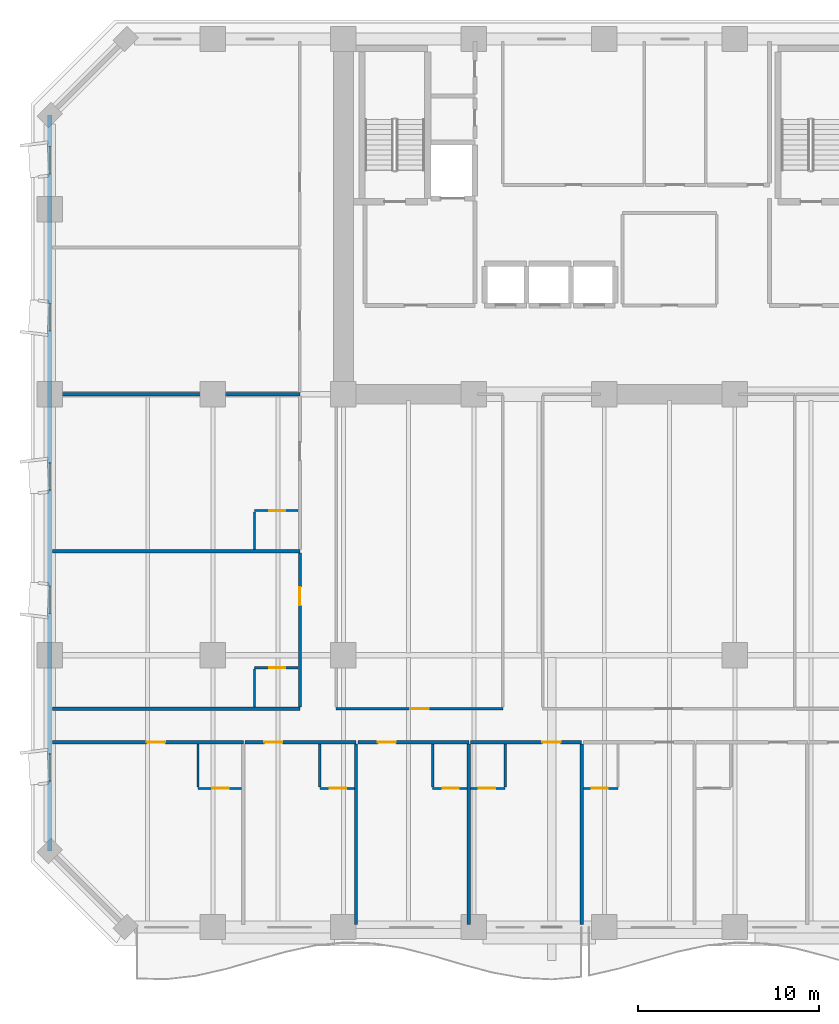
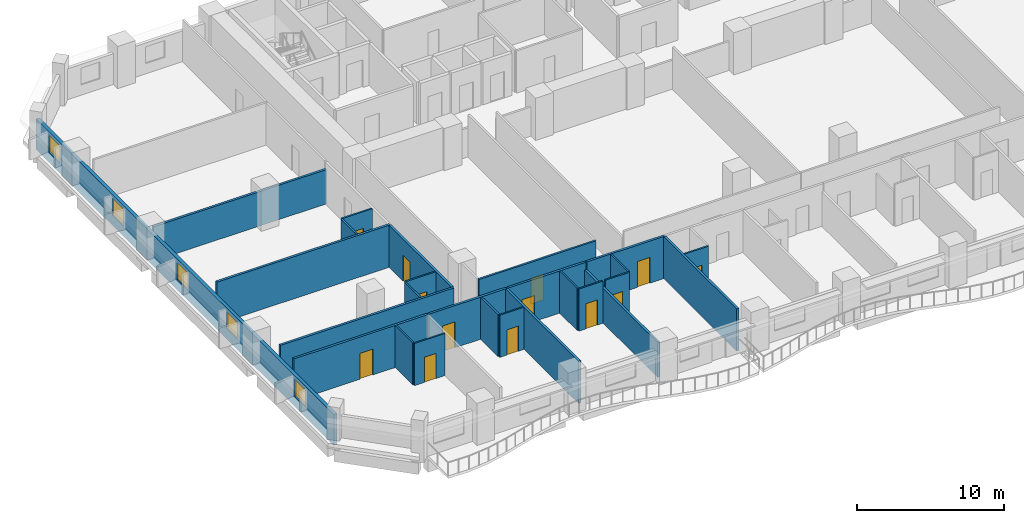
# One storey, part 4 of 15: 26 walls, 13 doors, 5 windows, 18 openings.
"""IFC4 building model written with IfcOpenShell, lengths in metres."""

from ifc_helpers import new_model, si_unit, direction, frame, frame_2d, origin, place, context, subcontext, project, spatial, rectangle, extrude, material, layer, layer_set, type_object, element, fill, save


model = new_model("IFC4")

# Units and contexts
model_context = context("Model", 3, precision=1e-05, world=origin(), true_north=direction((0.0, 1.0)))
body_context = subcontext(model_context, "Body", "Model", "MODEL_VIEW")
ifc_project = project(units=[si_unit("LENGTHUNIT", "METRE"), si_unit("AREAUNIT", "SQUARE_METRE"), si_unit("VOLUMEUNIT", "CUBIC_METRE"), si_unit("PLANEANGLEUNIT", "RADIAN"), si_unit("MASSUNIT", "GRAM", prefix="KILO")], contexts=[model_context])

# Site, building, storey
site_placement = place(None, origin())
site = spatial("IfcSite", under=ifc_project, at=site_placement, CompositionType="ELEMENT")
building_placement = place(site_placement, origin())
building = spatial("IfcBuilding", under=site, at=building_placement, Name="Kaelvorn Grand Hotel", CompositionType="ELEMENT")
storey_placement = place(building_placement, frame((0.0, 0.0, 38.89990234375)))
storey = spatial("IfcBuildingStorey", under=building, at=storey_placement, Name="L07", CompositionType="ELEMENT", Elevation=38.89990234375)

# Wall, openings, windows
ifc_material_1 = material(Name="Concrete C40/50", Category="concrete")
ifc_layer_1 = layer(ifc_material_1, 0.260009765625)
ifc_layer_set_1 = layer_set([ifc_layer_1], Name="Concrete C40/50")
wall_type_1 = type_object("IfcWallType", Name="WL-EXT-260-C40", PredefinedType="SOLIDWALL", material=ifc_layer_set_1)
wall_1_placement = place(storey_placement, frame((0.0, 44.800048828125, 0.0), z_axis=(0.0, 0.0, 1.0), x_axis=(0.0, -1.0, 0.0)))
wall_1 = element("IfcWall", 1, at=wall_1_placement, inside=storey, type_object=wall_type_1, Name="L07 Exterior Architectural Concrete Wall 07", PredefinedType="SOLIDWALL", context=body_context, shape_type="SweptSolid", body=[
    extrude(rectangle(XDim=40.60009765625, YDim=0.260009765625, at=frame_2d((20.300048828125, 0.0))), origin(), (0.0, 0.0, 1.0), 2.56005859375),
])
opening_1_placement = place(wall_1_placement, frame((35.25, 0.0, 0.85009765625)))
opening_1 = element("IfcOpeningElement", 2, at=opening_1_placement, cuts=wall_1, Name="Opening W10", PredefinedType="OPENING", context=body_context, shape_type="SweptSolid", body=[
    extrude(rectangle(XDim=1.5, YDim=1.39990234375, at=frame_2d((0.75, 0.699951171875))), frame((0.0, 0.14013671875, 0.0), z_axis=(0.0, -1.0, 0.0), x_axis=(1.0, 0.0, 0.0)), (0.0, 0.0, 1.0), 0.280029296875),
])
opening_2_placement = place(wall_1_placement, frame((25.985107421875, 0.0, 0.85009765625)))
opening_2 = element("IfcOpeningElement", 3, at=opening_2_placement, cuts=wall_1, Name="Opening W10", PredefinedType="OPENING", context=body_context, shape_type="SweptSolid", body=[
    extrude(rectangle(XDim=1.5, YDim=1.39990234375, at=frame_2d((0.75, 0.699951171875))), frame((0.0, 0.14013671875, 0.0), z_axis=(0.0, -1.0, 0.0), x_axis=(1.0, 0.0, 0.0)), (0.0, 0.0, 1.0), 0.280029296875),
])
opening_3_placement = place(wall_1_placement, frame((19.18505859375, 0.0, 0.85009765625)))
opening_3 = element("IfcOpeningElement", 4, at=opening_3_placement, cuts=wall_1, Name="Opening W10", PredefinedType="OPENING", context=body_context, shape_type="SweptSolid", body=[
    extrude(rectangle(XDim=1.5, YDim=1.39990234375, at=frame_2d((0.75, 0.699951171875))), frame((0.0, 0.14013671875, 0.0), z_axis=(0.0, -1.0, 0.0), x_axis=(1.0, 0.0, 0.0)), (0.0, 0.0, 1.0), 0.280029296875),
])
opening_4_placement = place(wall_1_placement, frame((10.39990234375, 0.0, 0.85009765625)))
opening_4 = element("IfcOpeningElement", 5, at=opening_4_placement, cuts=wall_1, Name="Opening W10", PredefinedType="OPENING", context=body_context, shape_type="SweptSolid", body=[
    extrude(rectangle(XDim=1.5, YDim=1.39990234375, at=frame_2d((0.75, 0.699951171875))), frame((0.0, 0.14013671875, 0.0), z_axis=(0.0, -1.0, 0.0), x_axis=(1.0, 0.0, 0.0)), (0.0, 0.0, 1.0), 0.280029296875),
])
opening_5_placement = place(wall_1_placement, frame((1.735107421875, 0.0, 0.85009765625)))
opening_5 = element("IfcOpeningElement", 6, at=opening_5_placement, cuts=wall_1, Name="Opening W10", PredefinedType="OPENING", context=body_context, shape_type="SweptSolid", body=[
    extrude(rectangle(XDim=1.5, YDim=1.39990234375, at=frame_2d((0.75, 0.699951171875))), frame((0.0, 0.14013671875, 0.0), z_axis=(0.0, -1.0, 0.0), x_axis=(1.0, 0.0, 0.0)), (0.0, 0.0, 1.0), 0.280029296875),
])
ifc_material_2 = material(Name="Laminated Low-E Glass", Category="glass")
window_type = type_object("IfcWindowType", Name="WIN-COR-1500x1400", PartitioningType="SINGLE_PANEL", PredefinedType="WINDOW", material=ifc_material_2)
window_1_placement = place(opening_1_placement, origin())
window_1 = element("IfcWindow", 7, at=window_1_placement, inside=storey, type_object=window_type, Name="L07 W Wing Tilted-Frame Ribbon Window W01", OverallHeight=1.39990234375, OverallWidth=1.5, PartitioningType="SINGLE_PANEL", PredefinedType="WINDOW", context=body_context, shape_type="SweptSolid", body=[
    extrude(rectangle(XDim=1.5, YDim=1.39990234375, at=frame_2d((0.75, 0.699951171875))), frame((0.0, 0.030029296875, 0.0), z_axis=(0.0, -1.0, 0.0), x_axis=(1.0, 0.0, 0.0)), (0.0, 0.0, 1.0), 0.06005859375),
])
fill(opening_1, window_1)
window_2_placement = place(opening_2_placement, origin())
window_2 = element("IfcWindow", 8, at=window_2_placement, inside=storey, type_object=window_type, Name="L07 W Wing Tilted-Frame Ribbon Window W02", OverallHeight=1.39990234375, OverallWidth=1.5, PartitioningType="SINGLE_PANEL", PredefinedType="WINDOW", context=body_context, shape_type="SweptSolid", body=[
    extrude(rectangle(XDim=1.5, YDim=1.39990234375, at=frame_2d((0.75, 0.699951171875))), frame((0.0, 0.030029296875, 0.0), z_axis=(0.0, -1.0, 0.0), x_axis=(1.0, 0.0, 0.0)), (0.0, 0.0, 1.0), 0.06005859375),
])
fill(opening_2, window_2)
window_3_placement = place(opening_3_placement, origin())
window_3 = element("IfcWindow", 9, at=window_3_placement, inside=storey, type_object=window_type, Name="L07 W Wing Tilted-Frame Ribbon Window W03", OverallHeight=1.39990234375, OverallWidth=1.5, PartitioningType="SINGLE_PANEL", PredefinedType="WINDOW", context=body_context, shape_type="SweptSolid", body=[
    extrude(rectangle(XDim=1.5, YDim=1.39990234375, at=frame_2d((0.75, 0.699951171875))), frame((0.0, 0.030029296875, 0.0), z_axis=(0.0, -1.0, 0.0), x_axis=(1.0, 0.0, 0.0)), (0.0, 0.0, 1.0), 0.06005859375),
])
fill(opening_3, window_3)
window_4_placement = place(opening_4_placement, origin())
window_4 = element("IfcWindow", 10, at=window_4_placement, inside=storey, type_object=window_type, Name="L07 W Wing Tilted-Frame Ribbon Window W04", OverallHeight=1.39990234375, OverallWidth=1.5, PartitioningType="SINGLE_PANEL", PredefinedType="WINDOW", context=body_context, shape_type="SweptSolid", body=[
    extrude(rectangle(XDim=1.5, YDim=1.39990234375, at=frame_2d((0.75, 0.699951171875))), frame((0.0, 0.030029296875, 0.0), z_axis=(0.0, -1.0, 0.0), x_axis=(1.0, 0.0, 0.0)), (0.0, 0.0, 1.0), 0.06005859375),
])
fill(opening_4, window_4)
window_5_placement = place(opening_5_placement, origin())
window_5 = element("IfcWindow", 11, at=window_5_placement, inside=storey, type_object=window_type, Name="L07 W Wing Tilted-Frame Ribbon Window W05", OverallHeight=1.39990234375, OverallWidth=1.5, PartitioningType="SINGLE_PANEL", PredefinedType="WINDOW", context=body_context, shape_type="SweptSolid", body=[
    extrude(rectangle(XDim=1.5, YDim=1.39990234375, at=frame_2d((0.75, 0.699951171875))), frame((0.0, 0.030029296875, 0.0), z_axis=(0.0, -1.0, 0.0), x_axis=(1.0, 0.0, 0.0)), (0.0, 0.0, 1.0), 0.06005859375),
])
fill(opening_5, window_5)

# Wall, opening, door
ifc_material_3 = material(Name="Moisture-Resistant Tile & Stud Board")
ifc_layer_2 = layer(ifc_material_3, 0.125)
ifc_layer_set_2 = layer_set([ifc_layer_2], Name="Moisture-Resistant Tile & Stud Board")
wall_type_2 = type_object("IfcWallType", Name="WL-PART-125-WET", PredefinedType="PARTITIONING", material=ifc_layer_set_2)
wall_2_placement = place(storey_placement, frame((8.1748046875, 7.64990234375, 0.0), z_axis=(0.0, 0.0, 1.0), x_axis=(1.0, 0.0, 0.0)))
wall_2 = element("IfcWall", 12, at=wall_2_placement, inside=storey, type_object=wall_type_2, Name="L07 En-suite Bathroom L07-01 S Partition", PredefinedType="PARTITIONING", context=body_context, shape_type="SweptSolid", body=[
    extrude(rectangle(XDim=2.405029296875, YDim=0.125, at=frame_2d((1.20263671875, 0.0))), origin(), (0.0, 0.0, 1.0), 3.510009765625),
])
opening_6_placement = place(wall_2_placement, frame((0.800048828125, 0.0, 0.0)))
opening_6 = element("IfcOpeningElement", 13, at=opening_6_placement, cuts=wall_2, Name="Opening DI4", PredefinedType="OPENING", context=body_context, shape_type="SweptSolid", body=[
    extrude(rectangle(XDim=0.89990234375, YDim=2.10009765625, at=frame_2d((0.449951171875, 1.050048828125))), frame((0.0, 0.072509765625, 0.0), z_axis=(0.0, -1.0, 0.0), x_axis=(1.0, 0.0, 0.0)), (0.0, 0.0, 1.0), 0.14501953125),
])
ifc_material_4 = material(Name="Timber Veneer Leaf", Category="wood")
door_type_1 = type_object("IfcDoorType", Name="DR-INT-BATH-900x2100", OperationType="NOTDEFINED", PredefinedType="DOOR", material=ifc_material_4)
door_1_placement = place(opening_6_placement, origin())
door_1 = element("IfcDoor", 14, at=door_1_placement, inside=storey, type_object=door_type_1, Name="L07 En-suite Bathroom L07-01 Door", OperationType="SINGLE_SWING_RIGHT", OverallHeight=2.10009765625, OverallWidth=0.89990234375, PredefinedType="DOOR", context=body_context, shape_type="SweptSolid", body=[
    extrude(rectangle(XDim=0.89990234375, YDim=2.10009765625, at=frame_2d((0.449951171875, 1.050048828125))), frame((0.0, 0.02490234375, 0.0), z_axis=(0.0, -1.0, 0.0), x_axis=(1.0, 0.0, 0.0)), (0.0, 0.0, 1.0), 0.050048828125),
])
fill(opening_6, door_1)

# Wall
wall_3_placement = place(storey_placement, frame((8.1748046875, 7.717529296875, 0.0), z_axis=(0.0, 0.0, 1.0), x_axis=(0.0, 1.0, 0.0)))
element("IfcWall", 15, at=wall_3_placement, inside=storey, type_object=wall_type_2, Name="L07 En-suite Bathroom L07-01 W Partition", PredefinedType="PARTITIONING", context=body_context, shape_type="SweptSolid", body=[
    extrude(rectangle(XDim=2.387451171875, YDim=0.125, at=frame_2d((1.19384765625, 0.0))), origin(), (0.0, 0.0, 1.0), 3.510009765625),
])

# Wall, opening, door
wall_4_placement = place(storey_placement, frame((14.899658203125, 7.64990234375, 0.0), z_axis=(0.0, 0.0, 1.0), x_axis=(1.0, 0.0, 0.0)))
wall_4 = element("IfcWall", 16, at=wall_4_placement, inside=storey, type_object=wall_type_2, Name="L07 En-suite Bathroom L07-02 S Partition", PredefinedType="PARTITIONING", context=body_context, shape_type="SweptSolid", body=[
    extrude(rectangle(XDim=1.905029296875, YDim=0.125, at=frame_2d((0.95263671875, 0.0))), origin(), (0.0, 0.0, 1.0), 3.510009765625),
])
opening_7_placement = place(wall_4_placement, frame((0.550048828125, 0.0, 0.0)))
opening_7 = element("IfcOpeningElement", 17, at=opening_7_placement, cuts=wall_4, Name="Opening DI4", PredefinedType="OPENING", context=body_context, shape_type="SweptSolid", body=[
    extrude(rectangle(XDim=0.89990234375, YDim=2.10009765625, at=frame_2d((0.449951171875, 1.050048828125))), frame((0.0, 0.072509765625, 0.0), z_axis=(0.0, -1.0, 0.0), x_axis=(1.0, 0.0, 0.0)), (0.0, 0.0, 1.0), 0.14501953125),
])
door_2_placement = place(opening_7_placement, origin())
door_2 = element("IfcDoor", 18, at=door_2_placement, inside=storey, type_object=door_type_1, Name="L07 En-suite Bathroom L07-02 Door", OperationType="SINGLE_SWING_RIGHT", OverallHeight=2.10009765625, OverallWidth=0.89990234375, PredefinedType="DOOR", context=body_context, shape_type="SweptSolid", body=[
    extrude(rectangle(XDim=0.89990234375, YDim=2.10009765625, at=frame_2d((0.449951171875, 1.050048828125))), frame((0.0, 0.02490234375, 0.0), z_axis=(0.0, -1.0, 0.0), x_axis=(1.0, 0.0, 0.0)), (0.0, 0.0, 1.0), 0.050048828125),
])
fill(opening_7, door_2)

# Wall
wall_5_placement = place(storey_placement, frame((14.899658203125, 7.717529296875, 0.0), z_axis=(0.0, 0.0, 1.0), x_axis=(0.0, 1.0, 0.0)))
element("IfcWall", 19, at=wall_5_placement, inside=storey, type_object=wall_type_2, Name="L07 En-suite Bathroom L07-02 W Partition", PredefinedType="PARTITIONING", context=body_context, shape_type="SweptSolid", body=[
    extrude(rectangle(XDim=2.387451171875, YDim=0.125, at=frame_2d((1.19384765625, 0.0))), origin(), (0.0, 0.0, 1.0), 3.510009765625),
])

# Wall, opening, door
wall_6_placement = place(storey_placement, frame((21.12451171875, 7.64990234375, 0.0), z_axis=(0.0, 0.0, 1.0), x_axis=(1.0, 0.0, 0.0)))
wall_6 = element("IfcWall", 20, at=wall_6_placement, inside=storey, type_object=wall_type_2, Name="L07 En-suite Bathroom L07-03 S Partition", PredefinedType="PARTITIONING", context=body_context, shape_type="SweptSolid", body=[
    extrude(rectangle(XDim=1.905029296875, YDim=0.125, at=frame_2d((0.95263671875, 0.0))), origin(), (0.0, 0.0, 1.0), 3.510009765625),
])
opening_8_placement = place(wall_6_placement, frame((0.550048828125, 0.0, 0.0)))
opening_8 = element("IfcOpeningElement", 21, at=opening_8_placement, cuts=wall_6, Name="Opening DI4", PredefinedType="OPENING", context=body_context, shape_type="SweptSolid", body=[
    extrude(rectangle(XDim=0.89990234375, YDim=2.10009765625, at=frame_2d((0.449951171875, 1.050048828125))), frame((0.0, 0.072509765625, 0.0), z_axis=(0.0, -1.0, 0.0), x_axis=(1.0, 0.0, 0.0)), (0.0, 0.0, 1.0), 0.14501953125),
])
door_3_placement = place(opening_8_placement, origin())
door_3 = element("IfcDoor", 22, at=door_3_placement, inside=storey, type_object=door_type_1, Name="L07 En-suite Bathroom L07-03 Door", OperationType="SINGLE_SWING_RIGHT", OverallHeight=2.10009765625, OverallWidth=0.89990234375, PredefinedType="DOOR", context=body_context, shape_type="SweptSolid", body=[
    extrude(rectangle(XDim=0.89990234375, YDim=2.10009765625, at=frame_2d((0.449951171875, 1.050048828125))), frame((0.0, 0.02490234375, 0.0), z_axis=(0.0, -1.0, 0.0), x_axis=(1.0, 0.0, 0.0)), (0.0, 0.0, 1.0), 0.050048828125),
])
fill(opening_8, door_3)

# Wall
wall_7_placement = place(storey_placement, frame((21.12451171875, 7.717529296875, 0.0), z_axis=(0.0, 0.0, 1.0), x_axis=(0.0, 1.0, 0.0)))
element("IfcWall", 23, at=wall_7_placement, inside=storey, type_object=wall_type_2, Name="L07 En-suite Bathroom L07-03 W Partition", PredefinedType="PARTITIONING", context=body_context, shape_type="SweptSolid", body=[
    extrude(rectangle(XDim=2.387451171875, YDim=0.125, at=frame_2d((1.19384765625, 0.0))), origin(), (0.0, 0.0, 1.0), 3.510009765625),
])

# Wall, opening, door
wall_8_placement = place(storey_placement, frame((23.219482421875, 7.64990234375, 0.0), z_axis=(0.0, 0.0, 1.0), x_axis=(1.0, 0.0, 0.0)))
wall_8 = element("IfcWall", 24, at=wall_8_placement, inside=storey, type_object=wall_type_2, Name="L07 En-suite Bathroom L07-04 S Partition", PredefinedType="PARTITIONING", context=body_context, shape_type="SweptSolid", body=[
    extrude(rectangle(XDim=1.905029296875, YDim=0.125, at=frame_2d((0.95263671875, 0.0))), origin(), (0.0, 0.0, 1.0), 3.510009765625),
])
opening_9_placement = place(wall_8_placement, frame((0.455078125, 0.0, 0.0)))
opening_9 = element("IfcOpeningElement", 25, at=opening_9_placement, cuts=wall_8, Name="Opening DI4", PredefinedType="OPENING", context=body_context, shape_type="SweptSolid", body=[
    extrude(rectangle(XDim=0.89990234375, YDim=2.10009765625, at=frame_2d((0.449951171875, 1.050048828125))), frame((0.0, 0.072509765625, 0.0), z_axis=(0.0, -1.0, 0.0), x_axis=(1.0, 0.0, 0.0)), (0.0, 0.0, 1.0), 0.14501953125),
])
door_4_placement = place(opening_9_placement, origin())
door_4 = element("IfcDoor", 26, at=door_4_placement, inside=storey, type_object=door_type_1, Name="L07 En-suite Bathroom L07-04 Door", OperationType="SINGLE_SWING_RIGHT", OverallHeight=2.10009765625, OverallWidth=0.89990234375, PredefinedType="DOOR", context=body_context, shape_type="SweptSolid", body=[
    extrude(rectangle(XDim=0.89990234375, YDim=2.10009765625, at=frame_2d((0.449951171875, 1.050048828125))), frame((0.0, 0.02490234375, 0.0), z_axis=(0.0, -1.0, 0.0), x_axis=(1.0, 0.0, 0.0)), (0.0, 0.0, 1.0), 0.050048828125),
])
fill(opening_9, door_4)

# Wall
wall_9_placement = place(storey_placement, frame((25.12451171875, 7.717529296875, 0.0), z_axis=(0.0, 0.0, 1.0), x_axis=(0.0, 1.0, 0.0)))
element("IfcWall", 27, at=wall_9_placement, inside=storey, type_object=wall_type_2, Name="L07 En-suite Bathroom L07-04 E Partition", PredefinedType="PARTITIONING", context=body_context, shape_type="SweptSolid", body=[
    extrude(rectangle(XDim=2.387451171875, YDim=0.125, at=frame_2d((1.19384765625, 0.0))), origin(), (0.0, 0.0, 1.0), 3.510009765625),
])

# Wall, opening, door
wall_10_placement = place(storey_placement, frame((29.444580078125, 7.64990234375, 0.0), z_axis=(0.0, 0.0, 1.0), x_axis=(1.0, 0.0, 0.0)))
wall_10 = element("IfcWall", 28, at=wall_10_placement, inside=storey, type_object=wall_type_2, Name="L07 En-suite Bathroom L07-05 S Partition", PredefinedType="PARTITIONING", context=body_context, shape_type="SweptSolid", body=[
    extrude(rectangle(XDim=1.905029296875, YDim=0.125, at=frame_2d((0.95263671875, 0.0))), origin(), (0.0, 0.0, 1.0), 3.510009765625),
])
opening_10_placement = place(wall_10_placement, frame((0.455078125, 0.0, 0.0)))
opening_10 = element("IfcOpeningElement", 29, at=opening_10_placement, cuts=wall_10, Name="Opening DI4", PredefinedType="OPENING", context=body_context, shape_type="SweptSolid", body=[
    extrude(rectangle(XDim=0.89990234375, YDim=2.10009765625, at=frame_2d((0.449951171875, 1.050048828125))), frame((0.0, 0.072509765625, 0.0), z_axis=(0.0, -1.0, 0.0), x_axis=(1.0, 0.0, 0.0)), (0.0, 0.0, 1.0), 0.14501953125),
])
door_5_placement = place(opening_10_placement, origin())
door_5 = element("IfcDoor", 30, at=door_5_placement, inside=storey, type_object=door_type_1, Name="L07 En-suite Bathroom L07-05 Door", OperationType="SINGLE_SWING_RIGHT", OverallHeight=2.10009765625, OverallWidth=0.89990234375, PredefinedType="DOOR", context=body_context, shape_type="SweptSolid", body=[
    extrude(rectangle(XDim=0.89990234375, YDim=2.10009765625, at=frame_2d((0.449951171875, 1.050048828125))), frame((0.0, 0.02490234375, 0.0), z_axis=(0.0, -1.0, 0.0), x_axis=(1.0, 0.0, 0.0)), (0.0, 0.0, 1.0), 0.050048828125),
])
fill(opening_10, door_5)

wall_11_placement = place(storey_placement, frame((11.300048828125, 14.31005859375, 0.0), z_axis=(0.0, 0.0, 1.0), x_axis=(1.0, 0.0, 0.0)))
wall_11 = element("IfcWall", 31, at=wall_11_placement, inside=storey, type_object=wall_type_2, Name="L07 En-suite Bathroom L07-13 N Partition", PredefinedType="PARTITIONING", context=body_context, shape_type="SweptSolid", body=[
    extrude(rectangle(XDim=2.405029296875, YDim=0.125, at=frame_2d((1.20263671875, 0.0))), origin(), (0.0, 0.0, 1.0), 3.510009765625),
])
opening_11_placement = place(wall_11_placement, frame((0.800048828125, 0.0, 0.0)))
opening_11 = element("IfcOpeningElement", 32, at=opening_11_placement, cuts=wall_11, Name="Opening DI4", PredefinedType="OPENING", context=body_context, shape_type="SweptSolid", body=[
    extrude(rectangle(XDim=0.89990234375, YDim=2.10009765625, at=frame_2d((0.449951171875, 1.050048828125))), frame((0.0, 0.072509765625, 0.0), z_axis=(0.0, -1.0, 0.0), x_axis=(1.0, 0.0, 0.0)), (0.0, 0.0, 1.0), 0.14501953125),
])
door_6_placement = place(opening_11_placement, origin())
door_6 = element("IfcDoor", 33, at=door_6_placement, inside=storey, type_object=door_type_1, Name="L07 En-suite Bathroom L07-13 Door", OperationType="SINGLE_SWING_RIGHT", OverallHeight=2.10009765625, OverallWidth=0.89990234375, PredefinedType="DOOR", context=body_context, shape_type="SweptSolid", body=[
    extrude(rectangle(XDim=0.89990234375, YDim=2.10009765625, at=frame_2d((0.449951171875, 1.050048828125))), frame((0.0, 0.02490234375, 0.0), z_axis=(0.0, -1.0, 0.0), x_axis=(1.0, 0.0, 0.0)), (0.0, 0.0, 1.0), 0.050048828125),
])
fill(opening_11, door_6)

# Wall
wall_12_placement = place(storey_placement, frame((11.300048828125, 12.14501953125, 0.0), z_axis=(0.0, 0.0, 1.0), x_axis=(0.0, 1.0, 0.0)))
element("IfcWall", 34, at=wall_12_placement, inside=storey, type_object=wall_type_2, Name="L07 En-suite Bathroom L07-13 W Partition", PredefinedType="PARTITIONING", context=body_context, shape_type="SweptSolid", body=[
    extrude(rectangle(XDim=2.097412109375, YDim=0.125, at=frame_2d((1.048828125, 0.0))), origin(), (0.0, 0.0, 1.0), 3.510009765625),
])

# Wall, opening, door
wall_13_placement = place(storey_placement, frame((11.300048828125, 22.97998046875, 0.0), z_axis=(0.0, 0.0, 1.0), x_axis=(1.0, 0.0, 0.0)))
wall_13 = element("IfcWall", 35, at=wall_13_placement, inside=storey, type_object=wall_type_2, Name="L07 En-suite Bathroom L07-14 N Partition", PredefinedType="PARTITIONING", context=body_context, shape_type="SweptSolid", body=[
    extrude(rectangle(XDim=2.405029296875, YDim=0.125, at=frame_2d((1.20263671875, 0.0))), origin(), (0.0, 0.0, 1.0), 3.510009765625),
])
opening_12_placement = place(wall_13_placement, frame((0.800048828125, 0.0, 0.0)))
opening_12 = element("IfcOpeningElement", 36, at=opening_12_placement, cuts=wall_13, Name="Opening DI4", PredefinedType="OPENING", context=body_context, shape_type="SweptSolid", body=[
    extrude(rectangle(XDim=0.89990234375, YDim=2.10009765625, at=frame_2d((0.449951171875, 1.050048828125))), frame((0.0, 0.072509765625, 0.0), z_axis=(0.0, -1.0, 0.0), x_axis=(1.0, 0.0, 0.0)), (0.0, 0.0, 1.0), 0.14501953125),
])
door_7_placement = place(opening_12_placement, origin())
door_7 = element("IfcDoor", 37, at=door_7_placement, inside=storey, type_object=door_type_1, Name="L07 En-suite Bathroom L07-14 Door", OperationType="SINGLE_SWING_RIGHT", OverallHeight=2.10009765625, OverallWidth=0.89990234375, PredefinedType="DOOR", context=body_context, shape_type="SweptSolid", body=[
    extrude(rectangle(XDim=0.89990234375, YDim=2.10009765625, at=frame_2d((0.449951171875, 1.050048828125))), frame((0.0, 0.02490234375, 0.0), z_axis=(0.0, -1.0, 0.0), x_axis=(1.0, 0.0, 0.0)), (0.0, 0.0, 1.0), 0.050048828125),
])
fill(opening_12, door_7)

# Wall
wall_14_placement = place(storey_placement, frame((11.300048828125, 20.824951171875, 0.0), z_axis=(0.0, 0.0, 1.0), x_axis=(0.0, 1.0, 0.0)))
element("IfcWall", 38, at=wall_14_placement, inside=storey, type_object=wall_type_2, Name="L07 En-suite Bathroom L07-14 W Partition", PredefinedType="PARTITIONING", context=body_context, shape_type="SweptSolid", body=[
    extrude(rectangle(XDim=2.087646484375, YDim=0.125, at=frame_2d((1.0439453125, 0.0))), origin(), (0.0, 0.0, 1.0), 3.510009765625),
])

# Wall, opening, door
ifc_material_5 = material(Name="Acoustic Gypsum & Stud Partition")
ifc_layer_3 = layer(ifc_material_5, 0.14990234375)
ifc_layer_set_3 = layer_set([ifc_layer_3], Name="Acoustic Gypsum & Stud Partition")
wall_type_3 = type_object("IfcWallType", Name="WL-PART-150-EI60", PredefinedType="PARTITIONING", material=ifc_layer_set_3)
wall_15_placement = place(storey_placement, frame((15.800048828125, 12.050048828125, 0.0), z_axis=(0.0, 0.0, 1.0), x_axis=(1.0, 0.0, 0.0)))
wall_15 = element("IfcWall", 39, at=wall_15_placement, inside=storey, type_object=wall_type_3, Name="L07 Private Dining Restaurant S Partition", PredefinedType="PARTITIONING", context=body_context, shape_type="SweptSolid", body=[
    extrude(rectangle(XDim=9.199951171875, YDim=0.14990234375, at=frame_2d((4.60009765625, 0.0))), origin(), (0.0, 0.0, 1.0), 3.510009765625),
])
opening_13_placement = place(wall_15_placement, frame((4.10009765625, 0.0, 0.0)))
opening_13 = element("IfcOpeningElement", 40, at=opening_13_placement, cuts=wall_15, Name="Opening DI3", PredefinedType="OPENING", context=body_context, shape_type="SweptSolid", body=[
    extrude(rectangle(XDim=1.0, YDim=2.14990234375, at=frame_2d((0.5, 1.074951171875))), frame((0.0, 0.0849609375, 0.0), z_axis=(0.0, -1.0, 0.0), x_axis=(1.0, 0.0, 0.0)), (0.0, 0.0, 1.0), 0.169921875),
])
ifc_material_6 = material(Name="Timber Veneer Fire Leaf", Category="wood")
door_type_2 = type_object("IfcDoorType", Name="DR-INT-GUEST-1000x2150", OperationType="NOTDEFINED", PredefinedType="DOOR", material=ifc_material_6)
door_8_placement = place(opening_13_placement, origin())
door_8 = element("IfcDoor", 41, at=door_8_placement, inside=storey, type_object=door_type_2, Name="L07 Private Dining Restaurant Door", OperationType="SINGLE_SWING_LEFT", OverallHeight=2.14990234375, OverallWidth=1.0, PredefinedType="DOOR", context=body_context, shape_type="SweptSolid", body=[
    extrude(rectangle(XDim=1.0, YDim=2.14990234375, at=frame_2d((0.5, 1.074951171875))), frame((0.0, 0.02490234375, 0.0), z_axis=(0.0, -1.0, 0.0), x_axis=(1.0, 0.0, 0.0)), (0.0, 0.0, 1.0), 0.050048828125),
])
fill(opening_13, door_8)

ifc_layer_4 = layer(ifc_material_5, 0.179931640625)
ifc_layer_set_4 = layer_set([ifc_layer_4], Name="Acoustic Gypsum & Stud Partition")
wall_type_4 = type_object("IfcWallType", Name="WL-PART-180-EI60", PredefinedType="PARTITIONING", material=ifc_layer_set_4)
wall_16_placement = place(storey_placement, frame((0.14990234375, 10.199951171875, 0.0), z_axis=(0.0, 0.0, 1.0), x_axis=(1.0, 0.0, 0.0)))
wall_16 = element("IfcWall", 42, at=wall_16_placement, inside=storey, type_object=wall_type_4, Name="L07 Deluxe Panoramic Suite L07-01 N Partition", PredefinedType="PARTITIONING", context=body_context, shape_type="SweptSolid", body=[
    extrude(rectangle(XDim=10.52490234375, YDim=0.179931640625, at=frame_2d((5.262451171875, 0.0))), origin(), (0.0, 0.0, 1.0), 3.510009765625),
])
opening_14_placement = place(wall_16_placement, frame((5.21240234375, 0.0, 0.0)))
opening_14 = element("IfcOpeningElement", 43, at=opening_14_placement, cuts=wall_16, Name="Opening DI3", PredefinedType="OPENING", context=body_context, shape_type="SweptSolid", body=[
    extrude(rectangle(XDim=1.0, YDim=2.14990234375, at=frame_2d((0.5, 1.074951171875))), frame((0.0, 0.10009765625, 0.0), z_axis=(0.0, -1.0, 0.0), x_axis=(1.0, 0.0, 0.0)), (0.0, 0.0, 1.0), 0.199951171875),
])
door_9_placement = place(opening_14_placement, origin())
door_9 = element("IfcDoor", 44, at=door_9_placement, inside=storey, type_object=door_type_2, Name="L07 Deluxe Panoramic Suite L07-01 Door", OperationType="SINGLE_SWING_LEFT", OverallHeight=2.14990234375, OverallWidth=1.0, PredefinedType="DOOR", context=body_context, shape_type="SweptSolid", body=[
    extrude(rectangle(XDim=1.0, YDim=2.14990234375, at=frame_2d((0.5, 1.074951171875))), frame((0.0, 0.02490234375, 0.0), z_axis=(0.0, -1.0, 0.0), x_axis=(1.0, 0.0, 0.0)), (0.0, 0.0, 1.0), 0.050048828125),
])
fill(opening_14, door_9)

wall_17_placement = place(storey_placement, frame((10.77001953125, 10.199951171875, 0.0), z_axis=(0.0, 0.0, 1.0), x_axis=(1.0, 0.0, 0.0)))
wall_17 = element("IfcWall", 45, at=wall_17_placement, inside=storey, type_object=wall_type_4, Name="L07 Deluxe King Guest Room L07-02 N Partition", PredefinedType="PARTITIONING", context=body_context, shape_type="SweptSolid", body=[
    extrude(rectangle(XDim=6.129638671875, YDim=0.179931640625, at=frame_2d((3.06494140625, 0.0))), origin(), (0.0, 0.0, 1.0), 3.510009765625),
])
opening_15_placement = place(wall_17_placement, frame((1.0673828125, 0.0, 0.0)))
opening_15 = element("IfcOpeningElement", 46, at=opening_15_placement, cuts=wall_17, Name="Opening DI3", PredefinedType="OPENING", context=body_context, shape_type="SweptSolid", body=[
    extrude(rectangle(XDim=1.0, YDim=2.14990234375, at=frame_2d((0.5, 1.074951171875))), frame((0.0, 0.10009765625, 0.0), z_axis=(0.0, -1.0, 0.0), x_axis=(1.0, 0.0, 0.0)), (0.0, 0.0, 1.0), 0.199951171875),
])
door_10_placement = place(opening_15_placement, origin())
door_10 = element("IfcDoor", 47, at=door_10_placement, inside=storey, type_object=door_type_2, Name="L07 Deluxe King Guest Room L07-02 Door", OperationType="SINGLE_SWING_LEFT", OverallHeight=2.14990234375, OverallWidth=1.0, PredefinedType="DOOR", context=body_context, shape_type="SweptSolid", body=[
    extrude(rectangle(XDim=1.0, YDim=2.14990234375, at=frame_2d((0.5, 1.074951171875))), frame((0.0, 0.02490234375, 0.0), z_axis=(0.0, -1.0, 0.0), x_axis=(1.0, 0.0, 0.0)), (0.0, 0.0, 1.0), 0.050048828125),
])
fill(opening_15, door_10)

# Wall
wall_18_placement = place(storey_placement, frame((16.899658203125, 0.14990234375, 0.0), z_axis=(0.0, 0.0, 1.0), x_axis=(0.0, 1.0, 0.0)))
element("IfcWall", 48, at=wall_18_placement, inside=storey, type_object=wall_type_4, Name="L07 Deluxe King Guest Room L07-02 E Partition", PredefinedType="PARTITIONING", context=body_context, shape_type="SweptSolid", body=[
    extrude(rectangle(XDim=9.955078125, YDim=0.179931640625, at=frame_2d((4.9775390625, 0.0))), origin(), (0.0, 0.0, 1.0), 3.510009765625),
])

# Wall, opening, door
wall_19_placement = place(storey_placement, frame((16.99462890625, 10.199951171875, 0.0), z_axis=(0.0, 0.0, 1.0), x_axis=(1.0, 0.0, 0.0)))
wall_19 = element("IfcWall", 49, at=wall_19_placement, inside=storey, type_object=wall_type_4, Name="L07 Deluxe Panoramic Suite L07-03 N Partition", PredefinedType="PARTITIONING", context=body_context, shape_type="SweptSolid", body=[
    extrude(rectangle(XDim=6.1298828125, YDim=0.179931640625, at=frame_2d((3.06494140625, 0.0))), origin(), (0.0, 0.0, 1.0), 3.510009765625),
])
opening_16_placement = place(wall_19_placement, frame((1.107666015625, 0.0, 0.0)))
opening_16 = element("IfcOpeningElement", 50, at=opening_16_placement, cuts=wall_19, Name="Opening DI3", PredefinedType="OPENING", context=body_context, shape_type="SweptSolid", body=[
    extrude(rectangle(XDim=1.0, YDim=2.14990234375, at=frame_2d((0.5, 1.074951171875))), frame((0.0, 0.10009765625, 0.0), z_axis=(0.0, -1.0, 0.0), x_axis=(1.0, 0.0, 0.0)), (0.0, 0.0, 1.0), 0.199951171875),
])
door_11_placement = place(opening_16_placement, origin())
door_11 = element("IfcDoor", 51, at=door_11_placement, inside=storey, type_object=door_type_2, Name="L07 Deluxe Panoramic Suite L07-03 Door", OperationType="SINGLE_SWING_LEFT", OverallHeight=2.14990234375, OverallWidth=1.0, PredefinedType="DOOR", context=body_context, shape_type="SweptSolid", body=[
    extrude(rectangle(XDim=1.0, YDim=2.14990234375, at=frame_2d((0.5, 1.074951171875))), frame((0.0, 0.02490234375, 0.0), z_axis=(0.0, -1.0, 0.0), x_axis=(1.0, 0.0, 0.0)), (0.0, 0.0, 1.0), 0.050048828125),
])
fill(opening_16, door_11)

# Wall
wall_20_placement = place(storey_placement, frame((23.12451171875, 0.14990234375, 0.0), z_axis=(0.0, 0.0, 1.0), x_axis=(0.0, 1.0, 0.0)))
element("IfcWall", 52, at=wall_20_placement, inside=storey, type_object=wall_type_4, Name="L07 Deluxe Panoramic Suite L07-03 E Partition", PredefinedType="PARTITIONING", context=body_context, shape_type="SweptSolid", body=[
    extrude(rectangle(XDim=9.955078125, YDim=0.179931640625, at=frame_2d((4.9775390625, 0.0))), origin(), (0.0, 0.0, 1.0), 2.89794921875),
])

# Wall, opening, door
wall_21_placement = place(storey_placement, frame((23.219482421875, 10.199951171875, 0.0), z_axis=(0.0, 0.0, 1.0), x_axis=(1.0, 0.0, 0.0)))
wall_21 = element("IfcWall", 53, at=wall_21_placement, inside=storey, type_object=wall_type_4, Name="L07 Deluxe King Guest Room L07-04 N Partition", PredefinedType="PARTITIONING", context=body_context, shape_type="SweptSolid", body=[
    extrude(rectangle(XDim=6.130126953125, YDim=0.179931640625, at=frame_2d((3.06494140625, 0.0))), origin(), (0.0, 0.0, 1.0), 3.510009765625),
])
opening_17_placement = place(wall_21_placement, frame((3.96728515625, 0.0, 0.0)))
opening_17 = element("IfcOpeningElement", 54, at=opening_17_placement, cuts=wall_21, Name="Opening DI3", PredefinedType="OPENING", context=body_context, shape_type="SweptSolid", body=[
    extrude(rectangle(XDim=1.0, YDim=2.14990234375, at=frame_2d((0.5, 1.074951171875))), frame((0.0, 0.10009765625, 0.0), z_axis=(0.0, -1.0, 0.0), x_axis=(1.0, 0.0, 0.0)), (0.0, 0.0, 1.0), 0.199951171875),
])
door_12_placement = place(opening_17_placement, origin())
door_12 = element("IfcDoor", 55, at=door_12_placement, inside=storey, type_object=door_type_2, Name="L07 Deluxe King Guest Room L07-04 Door", OperationType="SINGLE_SWING_LEFT", OverallHeight=2.14990234375, OverallWidth=1.0, PredefinedType="DOOR", context=body_context, shape_type="SweptSolid", body=[
    extrude(rectangle(XDim=1.0, YDim=2.14990234375, at=frame_2d((0.5, 1.074951171875))), frame((0.0, 0.02490234375, 0.0), z_axis=(0.0, -1.0, 0.0), x_axis=(1.0, 0.0, 0.0)), (0.0, 0.0, 1.0), 0.050048828125),
])
fill(opening_17, door_12)

# Walls
wall_22_placement = place(storey_placement, frame((29.349609375, 0.14990234375, 0.0), z_axis=(0.0, 0.0, 1.0), x_axis=(0.0, 1.0, 0.0)))
element("IfcWall", 56, at=wall_22_placement, inside=storey, type_object=wall_type_4, Name="L07 Deluxe King Guest Room L07-04 E Partition", PredefinedType="PARTITIONING", context=body_context, shape_type="SweptSolid", body=[
    extrude(rectangle(XDim=9.955078125, YDim=0.179931640625, at=frame_2d((4.9775390625, 0.0))), origin(), (0.0, 0.0, 1.0), 3.510009765625),
])
for number, where, z_axis, x_axis, name in (
    (57, (0.14990234375, 12.050048828125, 0.0), (0.0, 0.0, 1.0), (1.0, 0.0, 0.0), "L07 West Wing Panoramic Suite L07-13 S Partition"),
    (58, (0.14990234375, 20.72998046875, 0.0), (0.0, 0.0, 1.0), (1.0, 0.0, 0.0), "L07 West Wing Panoramic Suite L07-13 N Partition"),
):
    element("IfcWall", number, at=place(storey_placement, frame(where, z_axis=z_axis, x_axis=x_axis)), inside=storey, type_object=wall_type_4, Name=name, PredefinedType="PARTITIONING", context=body_context, shape_type="SweptSolid", body=[
        extrude(rectangle(XDim=13.650146484375, YDim=0.179931640625, at=frame_2d((6.8251953125, 0.0))), origin(), (0.0, 0.0, 1.0), 3.510009765625),
    ])

# Wall, opening, door
wall_23_placement = place(storey_placement, frame((13.800048828125, 12.14501953125, 0.0), z_axis=(0.0, 0.0, 1.0), x_axis=(0.0, 1.0, 0.0)))
wall_23 = element("IfcWall", 59, at=wall_23_placement, inside=storey, type_object=wall_type_4, Name="L07 West Wing Panoramic Suite L07-13 E Partition", PredefinedType="PARTITIONING", context=body_context, shape_type="SweptSolid", body=[
    extrude(rectangle(XDim=8.489990234375, YDim=0.179931640625, at=frame_2d((4.2451171875, 0.0))), origin(), (0.0, 0.0, 1.0), 3.510009765625),
])
opening_18_placement = place(wall_23_placement, frame((5.610107421875, 0.0, 0.0)))
opening_18 = element("IfcOpeningElement", 60, at=opening_18_placement, cuts=wall_23, Name="Opening DI3", PredefinedType="OPENING", context=body_context, shape_type="SweptSolid", body=[
    extrude(rectangle(XDim=1.0, YDim=2.14990234375, at=frame_2d((0.5, 1.074951171875))), frame((0.0, 0.10009765625, 0.0), z_axis=(0.0, -1.0, 0.0), x_axis=(1.0, 0.0, 0.0)), (0.0, 0.0, 1.0), 0.199951171875),
])
door_13_placement = place(opening_18_placement, origin())
door_13 = element("IfcDoor", 61, at=door_13_placement, inside=storey, type_object=door_type_2, Name="L07 West Wing Panoramic Suite L07-13 Door", OperationType="SINGLE_SWING_LEFT", OverallHeight=2.14990234375, OverallWidth=1.0, PredefinedType="DOOR", context=body_context, shape_type="SweptSolid", body=[
    extrude(rectangle(XDim=1.0, YDim=2.14990234375, at=frame_2d((0.5, 1.074951171875))), frame((0.0, 0.02490234375, 0.0), z_axis=(0.0, -1.0, 0.0), x_axis=(1.0, 0.0, 0.0)), (0.0, 0.0, 1.0), 0.050048828125),
])
fill(opening_18, door_13)

# Wall
wall_24_placement = place(storey_placement, frame((0.14990234375, 29.39990234375, 0.0), z_axis=(0.0, 0.0, 1.0), x_axis=(1.0, 0.0, 0.0)))
element("IfcWall", 62, at=wall_24_placement, inside=storey, type_object=wall_type_4, Name="L07 West Mid-Wing Suite L07-14 N Partition", PredefinedType="PARTITIONING", context=body_context, shape_type="SweptSolid", body=[
    extrude(rectangle(XDim=13.650146484375, YDim=0.179931640625, at=frame_2d((6.8251953125, 0.0))), origin(), (0.0, 0.0, 1.0), 2.860107421875),
])

save(model, "model.ifc")
